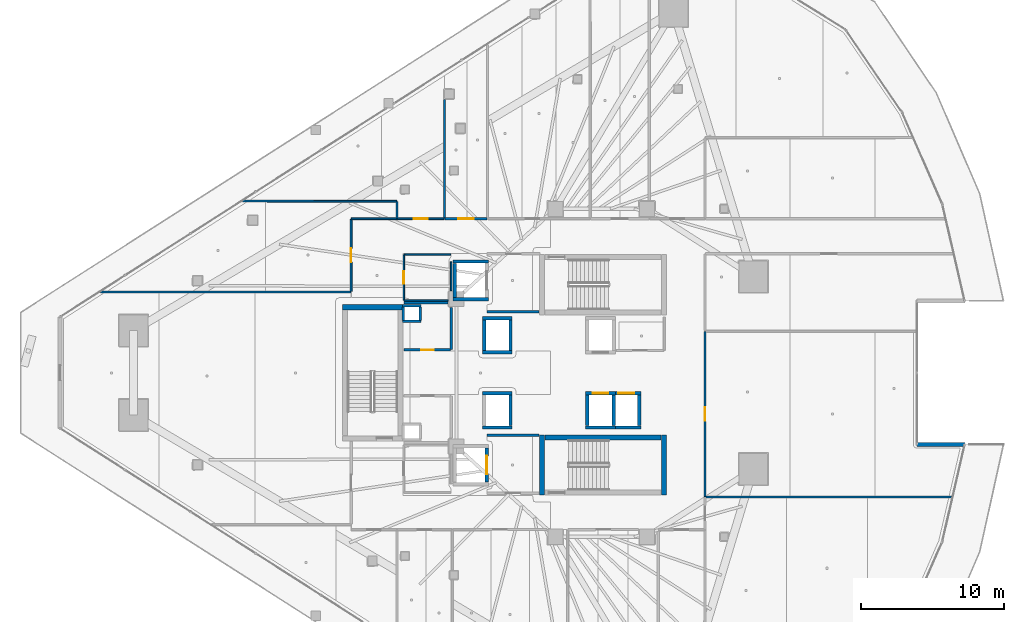
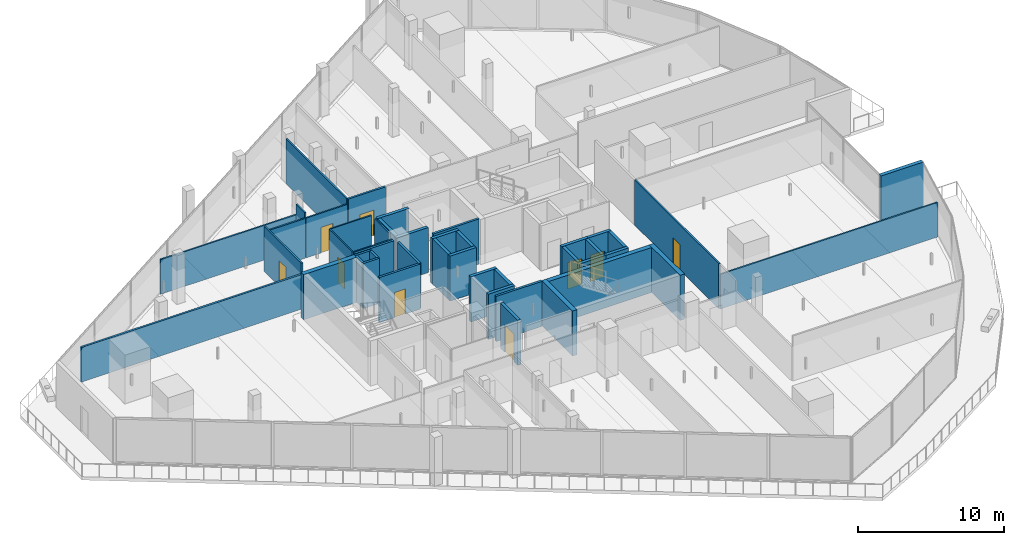
# One storey, part 30 of 44: 46 walls, 9 doors, 9 openings.
"""IFC4 building model written with IfcOpenShell, lengths in metres."""

from ifc_helpers import new_model, si_unit, direction, frame, frame_2d, origin, place, context, subcontext, project, spatial, rectangle, extrude, material, layer, layer_set, type_object, element, fill, save


model = new_model("IFC4")

# Units and contexts
model_context = context("Model", 3, precision=1e-05, world=origin(), true_north=direction((0.0, 1.0)))
body_context = subcontext(model_context, "Body", "Model", "MODEL_VIEW")
ifc_project = project(units=[si_unit("LENGTHUNIT", "METRE"), si_unit("AREAUNIT", "SQUARE_METRE"), si_unit("VOLUMEUNIT", "CUBIC_METRE"), si_unit("PLANEANGLEUNIT", "RADIAN"), si_unit("MASSUNIT", "GRAM", prefix="KILO")], contexts=[model_context])

# Site, building, storey
site_placement = place(None, origin())
site = spatial("IfcSite", under=ifc_project, at=site_placement, CompositionType="ELEMENT")
building_placement = place(site_placement, origin())
building = spatial("IfcBuilding", under=site, at=building_placement, Name="Qorvath Tower", CompositionType="ELEMENT")
storey_placement = place(building_placement, frame((0.0, 0.0, 113.85009765625)))
storey = spatial("IfcBuildingStorey", under=building, at=storey_placement, Name="L25", CompositionType="ELEMENT", Elevation=113.85009765625)

# Walls
ifc_material_1 = material(Name="Gypsum shaftliner on steel studs", Category="steel")
ifc_layer_1 = layer(ifc_material_1, 0.179931640625)
ifc_layer_set_1 = layer_set([ifc_layer_1], Name="FW-LOBBY")
wall_type_1 = type_object("IfcWallType", Name="FW-LOBBY", PredefinedType="PARTITIONING", material=ifc_layer_set_1)
for number, where, z_axis, x_axis, name in (
    (1, (-32.989990234375, 3.594970703125, 0.0), (0.0, 0.0, 1.0), (-1.0, 0.0, 0.0), "MEP Riser Shaft Enclosure Wall N-L25-S"),
    (2, (-34.260009765625, 4.675048828125, 0.0), (0.0, 0.0, 1.0), (1.0, 0.0, 0.0), "MEP Riser Shaft Enclosure Wall N-L25-N"),
):
    element("IfcWall", number, at=place(storey_placement, frame(where, z_axis=z_axis, x_axis=x_axis)), inside=storey, type_object=wall_type_1, Name=name, PredefinedType="PARTITIONING", context=body_context, shape_type="SweptSolid", body=[
        extrude(rectangle(XDim=1.27001953125, YDim=0.179931640625, at=frame_2d((0.635009765625, 0.0))), origin(), (0.0, 0.0, 1.0), 3.77001953125),
    ])
for number, where, z_axis, x_axis, name in (
    (3, (-34.205078125, 3.659912109375, 0.0), (0.0, 0.0, 1.0), (0.0, 1.0, 0.0), "MEP Riser Shaft Enclosure Wall N-L25-W"),
    (4, (-33.044921875, 4.610107421875, 0.0), (0.0, 0.0, 1.0), (0.0, -1.0, 0.0), "MEP Riser Shaft Enclosure Wall N-L25-E"),
):
    element("IfcWall", number, at=place(storey_placement, frame(where, z_axis=z_axis, x_axis=x_axis)), inside=storey, type_object=wall_type_1, Name=name, PredefinedType="PARTITIONING", context=body_context, shape_type="SweptSolid", body=[
        extrude(rectangle(XDim=0.9501953125, YDim=0.179931640625, at=frame_2d((0.47509765625, 0.0))), origin(), (0.0, 0.0, 1.0), 3.77001953125),
    ])
for number, where, z_axis, x_axis, name in (
    (5, (-28.35498046875, 4.25, 0.0), (0.0, 0.0, 1.0), (1.0, 0.0, 0.0), "Interior Partition IW-T1-L25-001"),
    (6, (-24.73291015625, -4.35009765625, 0.0), (0.0, 0.0, 1.0), (-1.0, 0.0, 0.0), "Interior Partition IW-T1-L25-004"),
):
    element("IfcWall", number, at=place(storey_placement, frame(where, z_axis=z_axis, x_axis=x_axis)), inside=storey, type_object=wall_type_1, Name=name, PredefinedType="PARTITIONING", context=body_context, shape_type="SweptSolid", body=[
        extrude(rectangle(XDim=3.6220703125, YDim=0.179931640625, at=frame_2d((1.81103515625, 0.0))), origin(), (0.0, 0.0, 1.0), 3.77001953125),
    ])

# Wall, opening, door
wall_1_placement = place(storey_placement, frame((-34.15478515625, 1.60009765625, 0.0), z_axis=(0.0, 0.0, 1.0), x_axis=(1.0, 0.0, 0.0)))
wall_1 = element("IfcWall", 7, at=wall_1_placement, inside=storey, type_object=wall_type_1, Name="Interior Partition IW-T1-L25-015", PredefinedType="PARTITIONING", context=body_context, shape_type="SweptSolid", body=[
    extrude(rectangle(XDim=3.25, YDim=0.179931640625, at=frame_2d((1.625, 0.0))), origin(), (0.0, 0.0, 1.0), 3.77001953125),
])
opening_1_placement = place(wall_1_placement, frame((1.18505859375, 0.0, 0.0)))
opening_1 = element("IfcOpeningElement", 8, at=opening_1_placement, cuts=wall_1, Name="Opening D-T1-L25-04", PredefinedType="OPENING", context=body_context, shape_type="SweptSolid", body=[
    extrude(rectangle(XDim=0.8798828125, YDim=2.10009765625, at=frame_2d((0.43994140625, 1.050048828125))), frame((0.0, 0.10009765625, 0.0), z_axis=(0.0, -1.0, 0.0), x_axis=(1.0, 0.0, 0.0)), (0.0, 0.0, 1.0), 0.199951171875),
])
ifc_material_2 = material(Name="Painted galvanised hollow metal", Category="steel")
door_type_1 = type_object("IfcDoorType", Name="FD-60N", OperationType="NOTDEFINED", PredefinedType="DOOR", material=ifc_material_2)
door_1_placement = place(opening_1_placement, origin())
door_1 = element("IfcDoor", 9, at=door_1_placement, inside=storey, type_object=door_type_1, Name="Core cleaner and custodial room L25 Door D-T1-L25-04", OperationType="SINGLE_SWING_LEFT", OverallHeight=2.10009765625, OverallWidth=0.8798828125, PredefinedType="DOOR", context=body_context, shape_type="SweptSolid", body=[
    extrude(rectangle(XDim=0.8798828125, YDim=2.10009765625, at=frame_2d((0.43994140625, 1.050048828125))), frame((0.0, 0.02490234375, 0.0), z_axis=(0.0, -1.0, 0.0), x_axis=(1.0, 0.0, 0.0)), (0.0, 0.0, 1.0), 0.050048828125),
])
fill(opening_1, door_1)

# Walls
wall_2_placement = place(storey_placement, frame((-30.8798828125, 1.625, 0.0), z_axis=(0.0, 0.0, 1.0), x_axis=(0.0, 1.0, 0.0)))
element("IfcWall", 10, at=wall_2_placement, inside=storey, type_object=wall_type_1, Name="Interior Partition IW-T1-L25-016", PredefinedType="PARTITIONING", context=body_context, shape_type="SweptSolid", body=[
    extrude(rectangle(XDim=2.93505859375, YDim=0.179931640625, at=frame_2d((1.467529296875, 0.0))), origin(), (0.0, 0.0, 1.0), 3.77001953125),
])
wall_3_placement = place(storey_placement, frame((-31.090087890625, 4.89990234375, 0.0), z_axis=(0.0, 0.0, 1.0), x_axis=(-1.0, 0.0, 0.0)))
element("IfcWall", 11, at=wall_3_placement, inside=storey, type_object=wall_type_1, Name="Interior Partition IW-T1-L25-017", PredefinedType="PARTITIONING", context=body_context, shape_type="SweptSolid", body=[
    extrude(rectangle(XDim=3.064697265625, YDim=0.179931640625, at=frame_2d((1.5322265625, 0.0))), origin(), (0.0, 0.0, 1.0), 3.77001953125),
])

# Wall, opening, door
ifc_material_3 = material(Name="Double acoustic gypsum board on steel studs", Category="steel")
ifc_layer_2 = layer(ifc_material_3, 0.159912109375)
ifc_layer_set_2 = layer_set([ifc_layer_2], Name="IW-ACOUSTIC-160")
wall_type_2 = type_object("IfcWallType", Name="IW-ACOUSTIC-160", PredefinedType="PARTITIONING", material=ifc_layer_set_2)
wall_4_placement = place(storey_placement, frame((-31.30859375, 10.758056640625, 0.0), z_axis=(0.0, 0.0, 1.0), x_axis=(1.0, 0.0, 0.0)))
wall_4 = element("IfcWall", 12, at=wall_4_placement, inside=storey, type_object=wall_type_2, Name="Interior Partition IW-T1-L25-025", PredefinedType="PARTITIONING", context=body_context, shape_type="SweptSolid", body=[
    extrude(rectangle(XDim=2.952392578125, YDim=0.159912109375, at=frame_2d((1.47607421875, 0.0))), origin(), (0.0, 0.0, 1.0), 3.77001953125),
])
opening_2_placement = place(wall_4_placement, frame((0.92626953125, 0.0, 0.0)))
opening_2 = element("IfcOpeningElement", 13, at=opening_2_placement, cuts=wall_4, Name="Opening D-T1-L25-07", PredefinedType="OPENING", context=body_context, shape_type="SweptSolid", body=[
    extrude(rectangle(XDim=1.10009765625, YDim=2.14990234375, at=frame_2d((0.550048828125, 1.074951171875))), frame((0.0, 0.08984375, 0.0), z_axis=(0.0, -1.0, 0.0), x_axis=(1.0, 0.0, 0.0)), (0.0, 0.0, 1.0), 0.179931640625),
])
ifc_material_4 = material(Name="Anodised aluminium acoustic framed glass", Category="aluminium")
door_type_2 = type_object("IfcDoorType", Name="D-03", OperationType="NOTDEFINED", PredefinedType="DOOR", material=ifc_material_4)
door_2_placement = place(opening_2_placement, origin())
door_2 = element("IfcDoor", 14, at=door_2_placement, inside=storey, type_object=door_type_2, Name="L25-02 Enclosed Conference Suite Door D-T1-L25-07", OperationType="SINGLE_SWING_RIGHT", OverallHeight=2.14990234375, OverallWidth=1.10009765625, PredefinedType="DOOR", context=body_context, shape_type="SweptSolid", body=[
    extrude(rectangle(XDim=1.10009765625, YDim=2.14990234375, at=frame_2d((0.550048828125, 1.074951171875))), frame((0.0, 0.02490234375, 0.0), z_axis=(0.0, -1.0, 0.0), x_axis=(1.0, 0.0, 0.0)), (0.0, 0.0, 1.0), 0.050048828125),
])
fill(opening_2, door_2)

# Walls
wall_5_placement = place(storey_placement, frame((-37.8828125, 5.64306640625, 0.0), z_axis=(0.0, 0.0, 1.0), x_axis=(-0.99999998352, -0.000181549029, 0.0)))
element("IfcWall", 15, at=wall_5_placement, inside=storey, type_object=wall_type_2, Name="Interior Partition IW-T1-L25-057", PredefinedType="PARTITIONING", context=body_context, shape_type="SweptSolid", body=[
    extrude(rectangle(XDim=17.48193359375, YDim=0.159912109375, at=frame_2d((8.740966796875, 0.0))), origin(), (0.0, 0.0, 1.0), 2.889892578125),
])
ifc_material_5 = material(Name="Gypsum board on metal studs with mineral wool", Category="gypsum")
ifc_layer_3 = layer(ifc_material_5, 0.125)
ifc_layer_set_3 = layer_set([ifc_layer_3], Name="IW-PART-125")
wall_type_3 = type_object("IfcWallType", Name="IW-PART-125", PredefinedType="PARTITIONING", material=ifc_layer_set_3)
wall_6_placement = place(storey_placement, frame((-34.64990234375, 10.783203125, 0.0), z_axis=(0.0, 0.0, 1.0), x_axis=(0.0, 1.0, 0.0)))
element("IfcWall", 16, at=wall_6_placement, inside=storey, type_object=wall_type_3, Name="Interior Partition IW-T1-L25-021", PredefinedType="PARTITIONING", context=body_context, shape_type="SweptSolid", body=[
    extrude(rectangle(XDim=1.1708984375, YDim=0.125, at=frame_2d((0.58544921875, 0.0))), origin(), (0.0, 0.0, 1.0), 3.77001953125),
])

# Wall, opening, door
wall_7_placement = place(storey_placement, frame((-34.625, 10.758056640625, 0.0), z_axis=(0.0, 0.0, 1.0), x_axis=(1.0, 0.0, 0.0)))
wall_7 = element("IfcWall", 17, at=wall_7_placement, inside=storey, type_object=wall_type_3, Name="Interior Partition IW-T1-L25-022", PredefinedType="PARTITIONING", context=body_context, shape_type="SweptSolid", body=[
    extrude(rectangle(XDim=3.25830078125, YDim=0.125, at=frame_2d((1.629150390625, 0.0))), origin(), (0.0, 0.0, 1.0), 3.333984375),
])
opening_3_placement = place(wall_7_placement, frame((1.154052734375, 0.0, 0.0)))
opening_3 = element("IfcOpeningElement", 18, at=opening_3_placement, cuts=wall_7, Name="Opening D-T1-L25-06", PredefinedType="OPENING", context=body_context, shape_type="SweptSolid", body=[
    extrude(rectangle(XDim=0.949951171875, YDim=2.14990234375, at=frame_2d((0.47509765625, 1.074951171875))), frame((0.0, 0.072509765625, 0.0), z_axis=(0.0, -1.0, 0.0), x_axis=(1.0, 0.0, 0.0)), (0.0, 0.0, 1.0), 0.14501953125),
])
ifc_material_6 = material(Name="Solid-core American white oak veneer", Category="wood")
door_type_3 = type_object("IfcDoorType", Name="D-01", OperationType="NOTDEFINED", PredefinedType="DOOR", material=ifc_material_6)
door_3_placement = place(opening_3_placement, origin())
door_3 = element("IfcDoor", 19, at=door_3_placement, inside=storey, type_object=door_type_3, Name="L25-01 Open Workplace Studio Door D-T1-L25-06", OperationType="SINGLE_SWING_LEFT", OverallHeight=2.14990234375, OverallWidth=0.949951171875, PredefinedType="DOOR", context=body_context, shape_type="SweptSolid", body=[
    extrude(rectangle(XDim=0.949951171875, YDim=2.14990234375, at=frame_2d((0.47509765625, 1.074951171875))), frame((0.0, 0.02490234375, 0.0), z_axis=(0.0, -1.0, 0.0), x_axis=(1.0, 0.0, 0.0)), (0.0, 0.0, 1.0), 0.050048828125),
])
fill(opening_3, door_3)

# Walls
wall_8_placement = place(storey_placement, frame((-31.341552734375, 10.783203125, 0.0), z_axis=(0.0, 0.0, 1.0), x_axis=(0.0, 1.0, 0.0)))
element("IfcWall", 20, at=wall_8_placement, inside=storey, type_object=wall_type_3, Name="Interior Partition IW-T1-L25-023", PredefinedType="PARTITIONING", context=body_context, shape_type="SweptSolid", body=[
    extrude(rectangle(XDim=8.287109375, YDim=0.125, at=frame_2d((4.1435546875, 0.0))), origin(), (0.0, 0.0, 1.0), 3.77001953125),
])
wall_9_placement = place(storey_placement, frame((-45.431640625, 11.98828125, 0.0), z_axis=(0.0, 0.0, 1.0), x_axis=(0.999999628081, -0.000862459961, 0.0)))
element("IfcWall", 21, at=wall_9_placement, inside=storey, type_object=wall_type_3, Name="Interior Partition IW-T1-L25-024", PredefinedType="PARTITIONING", context=body_context, shape_type="SweptSolid", body=[
    extrude(rectangle(XDim=10.7568359375, YDim=0.125, at=frame_2d((5.37841796875, 0.0))), origin(), (0.0, 0.0, 1.0), 2.889892578125),
])
wall_10_placement = place(storey_placement, frame((4.062255859375, -8.677001953125, 0.0), z_axis=(0.0, 0.0, 1.0), x_axis=(-1.0, 0.0, 0.0)))
element("IfcWall", 22, at=wall_10_placement, inside=storey, type_object=wall_type_3, Name="Interior Partition IW-T1-L25-047", PredefinedType="PARTITIONING", context=body_context, shape_type="SweptSolid", body=[
    extrude(rectangle(XDim=17.179443359375, YDim=0.125, at=frame_2d((8.58984375, 0.0))), origin(), (0.0, 0.0, 1.0), 2.885009765625),
])

# Wall, opening, door
wall_11_placement = place(storey_placement, frame((-13.14208984375, 2.87841796875, 0.0), z_axis=(0.0, 0.0, 1.0), x_axis=(0.0, -1.0, 0.0)))
wall_11 = element("IfcWall", 23, at=wall_11_placement, inside=storey, type_object=wall_type_3, Name="Interior Partition IW-T1-L25-050", PredefinedType="PARTITIONING", context=body_context, shape_type="SweptSolid", body=[
    extrude(rectangle(XDim=11.522705078125, YDim=0.125, at=frame_2d((5.76123046875, 0.0))), origin(), (0.0, 0.0, 1.0), 3.77001953125),
])
opening_4_placement = place(wall_11_placement, frame((5.286376953125, 0.0, 0.0)))
opening_4 = element("IfcOpeningElement", 24, at=opening_4_placement, cuts=wall_11, Name="Opening D-T1-L25-16", PredefinedType="OPENING", context=body_context, shape_type="SweptSolid", body=[
    extrude(rectangle(XDim=0.949951171875, YDim=2.14990234375, at=frame_2d((0.47509765625, 1.074951171875))), frame((0.0, 0.072509765625, 0.0), z_axis=(0.0, -1.0, 0.0), x_axis=(1.0, 0.0, 0.0)), (0.0, 0.0, 1.0), 0.14501953125),
])
door_4_placement = place(opening_4_placement, origin())
door_4 = element("IfcDoor", 25, at=door_4_placement, inside=storey, type_object=door_type_3, Name="L25-11 Open Workplace Studio Door D-T1-L25-16", OperationType="SINGLE_SWING_LEFT", OverallHeight=2.14990234375, OverallWidth=0.949951171875, PredefinedType="DOOR", context=body_context, shape_type="SweptSolid", body=[
    extrude(rectangle(XDim=0.949951171875, YDim=2.14990234375, at=frame_2d((0.47509765625, 1.074951171875))), frame((0.0, 0.02490234375, 0.0), z_axis=(0.0, -1.0, 0.0), x_axis=(1.0, 0.0, 0.0)), (0.0, 0.0, 1.0), 0.050048828125),
])
fill(opening_4, door_4)

wall_12_placement = place(storey_placement, frame((-37.85791015625, 5.676025390625, 0.0), z_axis=(0.0, 0.0, 1.0), x_axis=(0.0, 1.0, 0.0)))
wall_12 = element("IfcWall", 26, at=wall_12_placement, inside=storey, type_object=wall_type_3, Name="Interior Partition IW-T1-L25-058", PredefinedType="PARTITIONING", context=body_context, shape_type="SweptSolid", body=[
    extrude(rectangle(XDim=5.05712890625, YDim=0.125, at=frame_2d((2.528564453125, 0.0))), origin(), (0.0, 0.0, 1.0), 3.77001953125),
])
opening_5_placement = place(wall_12_placement, frame((2.0537109375, 0.0, 0.0)))
opening_5 = element("IfcOpeningElement", 27, at=opening_5_placement, cuts=wall_12, Name="Opening D-T1-L25-19", PredefinedType="OPENING", context=body_context, shape_type="SweptSolid", body=[
    extrude(rectangle(XDim=0.949951171875, YDim=2.14990234375, at=frame_2d((0.47509765625, 1.074951171875))), frame((0.0, 0.072509765625, 0.0), z_axis=(0.0, -1.0, 0.0), x_axis=(1.0, 0.0, 0.0)), (0.0, 0.0, 1.0), 0.14501953125),
])
door_5_placement = place(opening_5_placement, origin())
door_5 = element("IfcDoor", 28, at=door_5_placement, inside=storey, type_object=door_type_3, Name="L25-15 Staff Wellness Studio Door D-T1-L25-19", OperationType="SINGLE_SWING_RIGHT", OverallHeight=2.14990234375, OverallWidth=0.949951171875, PredefinedType="DOOR", context=body_context, shape_type="SweptSolid", body=[
    extrude(rectangle(XDim=0.949951171875, YDim=2.14990234375, at=frame_2d((0.47509765625, 1.074951171875))), frame((0.0, 0.02490234375, 0.0), z_axis=(0.0, -1.0, 0.0), x_axis=(1.0, 0.0, 0.0)), (0.0, 0.0, 1.0), 0.050048828125),
])
fill(opening_5, door_5)

# Wall
wall_13_placement = place(storey_placement, frame((-34.68310546875, 10.758056640625, 0.0), z_axis=(0.0, 0.0, 1.0), x_axis=(-1.0, 0.0, 0.0)))
element("IfcWall", 29, at=wall_13_placement, inside=storey, type_object=wall_type_3, Name="Interior Partition IW-T1-L25-059", PredefinedType="PARTITIONING", context=body_context, shape_type="SweptSolid", body=[
    extrude(rectangle(XDim=3.14990234375, YDim=0.125, at=frame_2d((1.574951171875, 0.0))), origin(), (0.0, 0.0, 1.0), 3.333984375),
])

# Wall, opening, door
ifc_material_7 = material(Name="Moisture-resistant cement board on metal studs", Category="gypsum")
ifc_layer_4 = layer(ifc_material_7, 0.110107421875)
ifc_layer_set_4 = layer_set([ifc_layer_4], Name="IW-WC-110")
wall_type_4 = type_object("IfcWallType", Name="IW-WC-110", PredefinedType="PARTITIONING", material=ifc_layer_set_4)
wall_14_placement = place(storey_placement, frame((-34.179931640625, 8.22509765625, 0.0), z_axis=(0.0, 0.0, 1.0), x_axis=(0.0, -1.0, 0.0)))
wall_14 = element("IfcWall", 30, at=wall_14_placement, inside=storey, type_object=wall_type_4, Name="Interior Partition IW-T1-L25-005", PredefinedType="PARTITIONING", context=body_context, shape_type="SweptSolid", body=[
    extrude(rectangle(XDim=3.150146484375, YDim=0.110107421875, at=frame_2d((1.5751953125, 0.0))), origin(), (0.0, 0.0, 1.0), 3.77001953125),
])
opening_6_placement = place(wall_14_placement, frame((1.135009765625, 0.0, 0.0)))
opening_6 = element("IfcOpeningElement", 31, at=opening_6_placement, cuts=wall_14, Name="Opening D-T1-L25-01", PredefinedType="OPENING", context=body_context, shape_type="SweptSolid", body=[
    extrude(rectangle(XDim=0.8798828125, YDim=2.10009765625, at=frame_2d((0.43994140625, 1.050048828125))), frame((0.0, 0.06494140625, 0.0), z_axis=(0.0, -1.0, 0.0), x_axis=(1.0, 0.0, 0.0)), (0.0, 0.0, 1.0), 0.130126953125),
])
ifc_material_8 = material(Name="Solid-core oak with acoustic drop seal", Category="wood")
door_type_4 = type_object("IfcDoorType", Name="D-02", OperationType="NOTDEFINED", PredefinedType="DOOR", material=ifc_material_8)
door_6_placement = place(opening_6_placement, origin())
door_6 = element("IfcDoor", 32, at=door_6_placement, inside=storey, type_object=door_type_4, Name="WC All-Gender North L25 Door D-T1-L25-01", OperationType="SINGLE_SWING_RIGHT", OverallHeight=2.10009765625, OverallWidth=0.8798828125, PredefinedType="DOOR", context=body_context, shape_type="SweptSolid", body=[
    extrude(rectangle(XDim=0.8798828125, YDim=2.10009765625, at=frame_2d((0.43994140625, 1.050048828125))), frame((0.0, 0.02490234375, 0.0), z_axis=(0.0, -1.0, 0.0), x_axis=(1.0, 0.0, 0.0)), (0.0, 0.0, 1.0), 0.050048828125),
])
fill(opening_6, door_6)

# Walls
wall_15_placement = place(storey_placement, frame((-34.15478515625, 5.050048828125, 0.0), z_axis=(0.0, 0.0, 1.0), x_axis=(1.0, 0.0, 0.0)))
element("IfcWall", 33, at=wall_15_placement, inside=storey, type_object=wall_type_4, Name="Interior Partition IW-T1-L25-006", PredefinedType="PARTITIONING", context=body_context, shape_type="SweptSolid", body=[
    extrude(rectangle(XDim=3.064697265625, YDim=0.110107421875, at=frame_2d((1.5322265625, 0.0))), origin(), (0.0, 0.0, 1.0), 3.77001953125),
])
wall_16_placement = place(storey_placement, frame((-30.8798828125, 5.739990234375, 0.0), z_axis=(0.0, 0.0, 1.0), x_axis=(0.0, 1.0, 0.0)))
element("IfcWall", 34, at=wall_16_placement, inside=storey, type_object=wall_type_4, Name="Interior Partition IW-T1-L25-007", PredefinedType="PARTITIONING", context=body_context, shape_type="SweptSolid", body=[
    extrude(rectangle(XDim=2.0029296875, YDim=0.110107421875, at=frame_2d((1.00146484375, 0.0))), origin(), (0.0, 0.0, 1.0), 3.77001953125),
])
wall_17_placement = place(storey_placement, frame((-30.90478515625, 8.25, 0.0), z_axis=(0.0, 0.0, 1.0), x_axis=(-1.0, 0.0, 0.0)))
element("IfcWall", 35, at=wall_17_placement, inside=storey, type_object=wall_type_4, Name="Interior Partition IW-T1-L25-008", PredefinedType="PARTITIONING", context=body_context, shape_type="SweptSolid", body=[
    extrude(rectangle(XDim=3.25, YDim=0.110107421875, at=frame_2d((1.625, 0.0))), origin(), (0.0, 0.0, 1.0), 3.77001953125),
])
ifc_material_9 = material(Name="Concrete C60/75", Category="concrete")
ifc_layer_5 = layer(ifc_material_9, 0.260009765625)
ifc_layer_set_5 = layer_set([ifc_layer_5], Name="SW-SHAFT")
wall_type_5 = type_object("IfcWallType", Name="SW-SHAFT", PredefinedType="SHEAR", material=ifc_layer_set_5)
for number, where, z_axis, x_axis, name in (
    (36, (-28.260009765625, 5.1298828125, 0.0), (0.0, 0.0, 1.0), (-1.0, 0.0, 0.0), "Hoistway Wall FSAE-1 L25 S"),
    (37, (-30.739990234375, 7.77001953125, 0.0), (0.0, 0.0, 1.0), (1.0, 0.0, 0.0), "Hoistway Wall FSAE-1 L25 N"),
):
    element("IfcWall", number, at=place(storey_placement, frame(where, z_axis=z_axis, x_axis=x_axis)), inside=storey, type_object=wall_type_5, Name=name, PredefinedType="SHEAR", context=body_context, shape_type="SweptSolid", body=[
        extrude(rectangle(XDim=2.47998046875, YDim=0.239990234375, at=frame_2d((1.239990234375, 0.0))), origin(), (0.0, 0.0, 1.0), 3.77001953125),
    ])
wall_18_placement = place(storey_placement, frame((-30.6201171875, 5.261962890625, 0.0), z_axis=(0.0, 0.0, 1.0), x_axis=(0.0, 1.0, 0.0)))
element("IfcWall", 38, at=wall_18_placement, inside=storey, type_object=wall_type_5, Name="Hoistway Wall FSAE-1 L25 W", PredefinedType="SHEAR", context=body_context, shape_type="SweptSolid", body=[
    extrude(rectangle(XDim=2.3759765625, YDim=0.239990234375, at=frame_2d((1.18798828125, 0.0))), origin(), (0.0, 0.0, 1.0), 3.77001953125),
])

# Wall, opening, door
wall_19_placement = place(storey_placement, frame((-28.3798828125, -5.261962890625, 0.0), z_axis=(0.0, 0.0, 1.0), x_axis=(0.0, -1.0, 0.0)))
wall_19 = element("IfcWall", 39, at=wall_19_placement, inside=storey, type_object=wall_type_5, Name="Hoistway Wall FSAE-2 L25 E", PredefinedType="SHEAR", context=body_context, shape_type="SweptSolid", body=[
    extrude(rectangle(XDim=2.3759765625, YDim=0.239990234375, at=frame_2d((1.18798828125, 0.0))), origin(), (0.0, 0.0, 1.0), 3.77001953125),
])
opening_7_placement = place(wall_19_placement, frame((0.5380859375, 0.0, 0.0)))
opening_7 = element("IfcOpeningElement", 40, at=opening_7_placement, cuts=wall_19, Name="Opening LD-FSAE-2-L25", PredefinedType="OPENING", context=body_context, shape_type="SweptSolid", body=[
    extrude(rectangle(XDim=1.300048828125, YDim=2.300048828125, at=frame_2d((0.64990234375, 1.14990234375))), frame((0.0, 0.1298828125, 0.0), z_axis=(0.0, -1.0, 0.0), x_axis=(1.0, 0.0, 0.0)), (0.0, 0.0, 1.0), 0.260009765625),
])
ifc_material_10 = material(Name="Brushed stainless steel AISI 316", Category="steel")
door_type_5 = type_object("IfcDoorType", Name="LD-02", OperationType="NOTDEFINED", PredefinedType="DOOR", material=ifc_material_10)
door_7_placement = place(opening_7_placement, origin())
door_7 = element("IfcDoor", 41, at=door_7_placement, inside=storey, type_object=door_type_5, Name="Elevator Landing Sliding Door LD-FSAE-2-L25", OperationType="DOUBLE_DOOR_SLIDING", OverallHeight=2.300048828125, OverallWidth=1.300048828125, PredefinedType="DOOR", context=body_context, shape_type="SweptSolid", body=[
    extrude(rectangle(XDim=1.300048828125, YDim=2.300048828125, at=frame_2d((0.64990234375, 1.14990234375))), frame((0.0, 0.02490234375, 0.0), z_axis=(0.0, -1.0, 0.0), x_axis=(1.0, 0.0, 0.0)), (0.0, 0.0, 1.0), 0.050048828125),
])
fill(opening_7, door_7)

# Walls
for number, where, z_axis, x_axis, name in (
    (42, (-26.610107421875, 1.429931640625, 0.0), (0.0, 0.0, 1.0), (-1.0, 0.0, 0.0), "Hoistway Wall PS-1 L25 S"),
    (43, (-28.68994140625, 3.820068359375, 0.0), (0.0, 0.0, 1.0), (1.0, 0.0, 0.0), "Hoistway Wall PS-1 L25 N"),
):
    element("IfcWall", number, at=place(storey_placement, frame(where, z_axis=z_axis, x_axis=x_axis)), inside=storey, type_object=wall_type_5, Name=name, PredefinedType="SHEAR", context=body_context, shape_type="SweptSolid", body=[
        extrude(rectangle(XDim=2.079833984375, YDim=0.239990234375, at=frame_2d((1.0400390625, 0.0))), origin(), (0.0, 0.0, 1.0), 3.77001953125),
    ])
for number, where, z_axis, x_axis, name in (
    (44, (-28.570068359375, 1.56201171875, 0.0), (0.0, 0.0, 1.0), (0.0, 1.0, 0.0), "Hoistway Wall PS-1 L25 W"),
    (45, (-26.72998046875, 3.68798828125, 0.0), (0.0, 0.0, 1.0), (0.0, -1.0, 0.0), "Hoistway Wall PS-1 L25 E"),
):
    element("IfcWall", number, at=place(storey_placement, frame(where, z_axis=z_axis, x_axis=x_axis)), inside=storey, type_object=wall_type_5, Name=name, PredefinedType="SHEAR", context=body_context, shape_type="SweptSolid", body=[
        extrude(rectangle(XDim=2.1259765625, YDim=0.239990234375, at=frame_2d((1.06298828125, 0.0))), origin(), (0.0, 0.0, 1.0), 3.77001953125),
    ])
for number, where, z_axis, x_axis, name in (
    (46, (-26.610107421875, -3.820068359375, 0.0), (0.0, 0.0, 1.0), (-1.0, 0.0, 0.0), "Hoistway Wall PS-2 L25 S"),
    (47, (-28.68994140625, -1.429931640625, 0.0), (0.0, 0.0, 1.0), (1.0, 0.0, 0.0), "Hoistway Wall PS-2 L25 N"),
):
    element("IfcWall", number, at=place(storey_placement, frame(where, z_axis=z_axis, x_axis=x_axis)), inside=storey, type_object=wall_type_5, Name=name, PredefinedType="SHEAR", context=body_context, shape_type="SweptSolid", body=[
        extrude(rectangle(XDim=2.079833984375, YDim=0.239990234375, at=frame_2d((1.0400390625, 0.0))), origin(), (0.0, 0.0, 1.0), 3.77001953125),
    ])
wall_20_placement = place(storey_placement, frame((-26.72998046875, -1.56201171875, 0.0), z_axis=(0.0, 0.0, 1.0), x_axis=(0.0, -1.0, 0.0)))
element("IfcWall", 48, at=wall_20_placement, inside=storey, type_object=wall_type_5, Name="Hoistway Wall PS-2 L25 E", PredefinedType="SHEAR", context=body_context, shape_type="SweptSolid", body=[
    extrude(rectangle(XDim=2.1259765625, YDim=0.239990234375, at=frame_2d((1.06298828125, 0.0))), origin(), (0.0, 0.0, 1.0), 3.77001953125),
])
wall_21_placement = place(storey_placement, frame((-19.409912109375, -3.820068359375, 0.0), z_axis=(0.0, 0.0, 1.0), x_axis=(-1.0, 0.0, 0.0)))
element("IfcWall", 49, at=wall_21_placement, inside=storey, type_object=wall_type_5, Name="Hoistway Wall PM-2 L25 S", PredefinedType="SHEAR", context=body_context, shape_type="SweptSolid", body=[
    extrude(rectangle(XDim=2.080078125, YDim=0.239990234375, at=frame_2d((1.0400390625, 0.0))), origin(), (0.0, 0.0, 1.0), 3.77001953125),
])

# Wall, opening, door
wall_22_placement = place(storey_placement, frame((-21.489990234375, -1.429931640625, 0.0), z_axis=(0.0, 0.0, 1.0), x_axis=(1.0, 0.0, 0.0)))
wall_22 = element("IfcWall", 50, at=wall_22_placement, inside=storey, type_object=wall_type_5, Name="Hoistway Wall PM-2 L25 N", PredefinedType="SHEAR", context=body_context, shape_type="SweptSolid", body=[
    extrude(rectangle(XDim=2.080078125, YDim=0.239990234375, at=frame_2d((1.0400390625, 0.0))), origin(), (0.0, 0.0, 1.0), 3.77001953125),
])
opening_8_placement = place(wall_22_placement, frame((0.489990234375, 0.0, 0.0)))
opening_8 = element("IfcOpeningElement", 51, at=opening_8_placement, cuts=wall_22, Name="Opening LD-PM-2-L25", PredefinedType="OPENING", context=body_context, shape_type="SweptSolid", body=[
    extrude(rectangle(XDim=1.10009765625, YDim=2.199951171875, at=frame_2d((0.550048828125, 1.10009765625))), frame((0.0, 0.1298828125, 0.0), z_axis=(0.0, -1.0, 0.0), x_axis=(1.0, 0.0, 0.0)), (0.0, 0.0, 1.0), 0.260009765625),
])
ifc_material_11 = material(Name="Brushed stainless steel AISI 316", Category="steel")
door_type_6 = type_object("IfcDoorType", Name="LD-01", OperationType="NOTDEFINED", PredefinedType="DOOR", material=ifc_material_11)
door_8_placement = place(opening_8_placement, origin())
door_8 = element("IfcDoor", 52, at=door_8_placement, inside=storey, type_object=door_type_6, Name="Elevator Landing Sliding Door LD-PM-2-L25", OperationType="DOUBLE_DOOR_SLIDING", OverallHeight=2.199951171875, OverallWidth=1.10009765625, PredefinedType="DOOR", context=body_context, shape_type="SweptSolid", body=[
    extrude(rectangle(XDim=1.10009765625, YDim=2.199951171875, at=frame_2d((0.550048828125, 1.10009765625))), frame((0.0, 0.02490234375, 0.0), z_axis=(0.0, -1.0, 0.0), x_axis=(1.0, 0.0, 0.0)), (0.0, 0.0, 1.0), 0.050048828125),
])
fill(opening_8, door_8)

# Walls
for number, where, z_axis, x_axis, name in (
    (53, (-21.3701171875, -3.68798828125, 0.0), (0.0, 0.0, 1.0), (0.0, 1.0, 0.0), "Hoistway Wall PM-2 L25 W"),
    (54, (-19.530029296875, -1.56201171875, 0.0), (0.0, 0.0, 1.0), (0.0, -1.0, 0.0), "Hoistway Wall PM-2 L25 E"),
):
    element("IfcWall", number, at=place(storey_placement, frame(where, z_axis=z_axis, x_axis=x_axis)), inside=storey, type_object=wall_type_5, Name=name, PredefinedType="SHEAR", context=body_context, shape_type="SweptSolid", body=[
        extrude(rectangle(XDim=2.1259765625, YDim=0.239990234375, at=frame_2d((1.06298828125, 0.0))), origin(), (0.0, 0.0, 1.0), 3.77001953125),
    ])
wall_23_placement = place(storey_placement, frame((-17.610107421875, -3.820068359375, 0.0), z_axis=(0.0, 0.0, 1.0), x_axis=(-1.0, 0.0, 0.0)))
element("IfcWall", 55, at=wall_23_placement, inside=storey, type_object=wall_type_5, Name="Hoistway Wall PM-3 L25 S", PredefinedType="SHEAR", context=body_context, shape_type="SweptSolid", body=[
    extrude(rectangle(XDim=1.7998046875, YDim=0.239990234375, at=frame_2d((0.89990234375, 0.0))), origin(), (0.0, 0.0, 1.0), 3.77001953125),
])

# Wall, opening, door
wall_24_placement = place(storey_placement, frame((-19.409912109375, -1.429931640625, 0.0), z_axis=(0.0, 0.0, 1.0), x_axis=(1.0, 0.0, 0.0)))
wall_24 = element("IfcWall", 56, at=wall_24_placement, inside=storey, type_object=wall_type_5, Name="Hoistway Wall PM-3 L25 N", PredefinedType="SHEAR", context=body_context, shape_type="SweptSolid", body=[
    extrude(rectangle(XDim=1.7998046875, YDim=0.239990234375, at=frame_2d((0.89990234375, 0.0))), origin(), (0.0, 0.0, 1.0), 3.77001953125),
])
opening_9_placement = place(wall_24_placement, frame((0.2099609375, 0.0, 0.0)))
opening_9 = element("IfcOpeningElement", 57, at=opening_9_placement, cuts=wall_24, Name="Opening LD-PM-3-L25", PredefinedType="OPENING", context=body_context, shape_type="SweptSolid", body=[
    extrude(rectangle(XDim=1.10009765625, YDim=2.199951171875, at=frame_2d((0.550048828125, 1.10009765625))), frame((0.0, 0.1298828125, 0.0), z_axis=(0.0, -1.0, 0.0), x_axis=(1.0, 0.0, 0.0)), (0.0, 0.0, 1.0), 0.260009765625),
])
door_9_placement = place(opening_9_placement, origin())
door_9 = element("IfcDoor", 58, at=door_9_placement, inside=storey, type_object=door_type_6, Name="Elevator Landing Sliding Door LD-PM-3-L25", OperationType="DOUBLE_DOOR_SLIDING", OverallHeight=2.199951171875, OverallWidth=1.10009765625, PredefinedType="DOOR", context=body_context, shape_type="SweptSolid", body=[
    extrude(rectangle(XDim=1.10009765625, YDim=2.199951171875, at=frame_2d((0.550048828125, 1.10009765625))), frame((0.0, 0.02490234375, 0.0), z_axis=(0.0, -1.0, 0.0), x_axis=(1.0, 0.0, 0.0)), (0.0, 0.0, 1.0), 0.050048828125),
])
fill(opening_9, door_9)

# Walls
wall_25_placement = place(storey_placement, frame((-17.72998046875, -1.56201171875, 0.0), z_axis=(0.0, 0.0, 1.0), x_axis=(0.0, -1.0, 0.0)))
element("IfcWall", 59, at=wall_25_placement, inside=storey, type_object=wall_type_5, Name="Hoistway Wall PM-3 L25 E", PredefinedType="SHEAR", context=body_context, shape_type="SweptSolid", body=[
    extrude(rectangle(XDim=2.1259765625, YDim=0.239990234375, at=frame_2d((1.06298828125, 0.0))), origin(), (0.0, 0.0, 1.0), 3.77001953125),
])
ifc_material_12 = material(Name="Concrete C60/75", Category="concrete")
ifc_layer_6 = layer(ifc_material_12, 0.35009765625)
ifc_layer_set_6 = layer_set([ifc_layer_6], Name="SW-STAIR")
wall_type_6 = type_object("IfcWallType", Name="SW-STAIR", PredefinedType="SHEAR", material=ifc_layer_set_6)
for number, where, z_axis, x_axis, name in (
    (60, (-24.52490234375, -4.340087890625, 0.0), (0.0, 0.0, 1.0), (0.0, -1.0, 0.0), "Stair TS2 Shear Wall L25 NEAR"),
    (61, (-16.02490234375, -8.550048828125, 0.0), (0.0, 0.0, 1.0), (0.0, 1.0, 0.0), "Stair TS2 Shear Wall L25 FAR"),
):
    element("IfcWall", number, at=place(storey_placement, frame(where, z_axis=z_axis, x_axis=x_axis)), inside=storey, type_object=wall_type_6, Name=name, PredefinedType="SHEAR", context=body_context, shape_type="SweptSolid", body=[
        extrude(rectangle(XDim=4.2099609375, YDim=0.35009765625, at=frame_2d((2.10498046875, 0.0))), origin(), (0.0, 0.0, 1.0), 3.77001953125),
    ])
wall_26_placement = place(storey_placement, frame((-16.215087890625, -4.514892578125, 0.0), z_axis=(0.0, 0.0, 1.0), x_axis=(-1.0, 0.0, 0.0)))
element("IfcWall", 62, at=wall_26_placement, inside=storey, type_object=wall_type_6, Name="Stair TS2 Shear Wall L25 RIGHT", PredefinedType="SHEAR", context=body_context, shape_type="SweptSolid", body=[
    extrude(rectangle(XDim=8.119873046875, YDim=0.35009765625, at=frame_2d((4.06005859375, 0.0))), origin(), (0.0, 0.0, 1.0), 3.77001953125),
])
wall_27_placement = place(storey_placement, frame((-34.25, 4.574951171875, 0.0), z_axis=(0.0, 0.0, 1.0), x_axis=(-1.0, 0.0, 0.0)))
element("IfcWall", 63, at=wall_27_placement, inside=storey, type_object=wall_type_6, Name="Stair TS3 Shear Wall L25 FAR", PredefinedType="SHEAR", context=body_context, shape_type="SweptSolid", body=[
    extrude(rectangle(XDim=4.2099609375, YDim=0.35009765625, at=frame_2d((2.10498046875, 0.0))), origin(), (0.0, 0.0, 1.0), 3.77001953125),
])
ifc_material_13 = material(Name="Precast concrete C45/55", Category="concrete")
ifc_layer_7 = layer(ifc_material_13, 0.300048828125)
ifc_layer_set_7 = layer_set([ifc_layer_7], Name="WL-EW-LOG-300")
wall_type_7 = type_object("IfcWallType", Name="WL-EW-LOG-300", PredefinedType="SOLIDWALL", material=ifc_layer_set_7)
wall_28_placement = place(storey_placement, frame((4.989501953125, -5.01123046875, 0.0), z_axis=(0.0, 0.0, 1.0), x_axis=(-1.0, 0.0, 0.0)))
element("IfcWall", 64, at=wall_28_placement, inside=storey, type_object=wall_type_7, Name="Tower Precast Loggia Wall L25-8.1", PredefinedType="SOLIDWALL", context=body_context, shape_type="SweptSolid", body=[
    extrude(rectangle(XDim=3.3408203125, YDim=0.300048828125, at=frame_2d((1.67041015625, 0.0))), origin(), (0.0, 0.0, 1.0), 3.77001953125),
])

save(model, "model.ifc")
